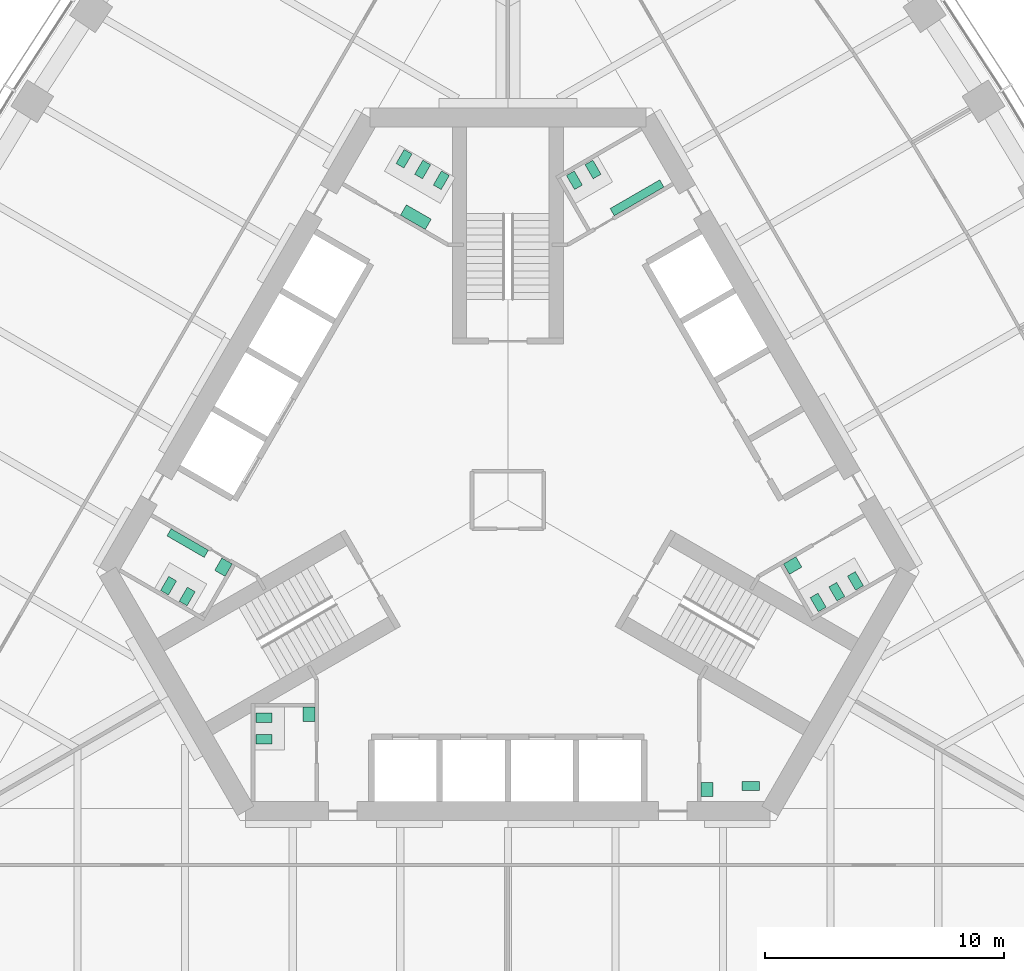
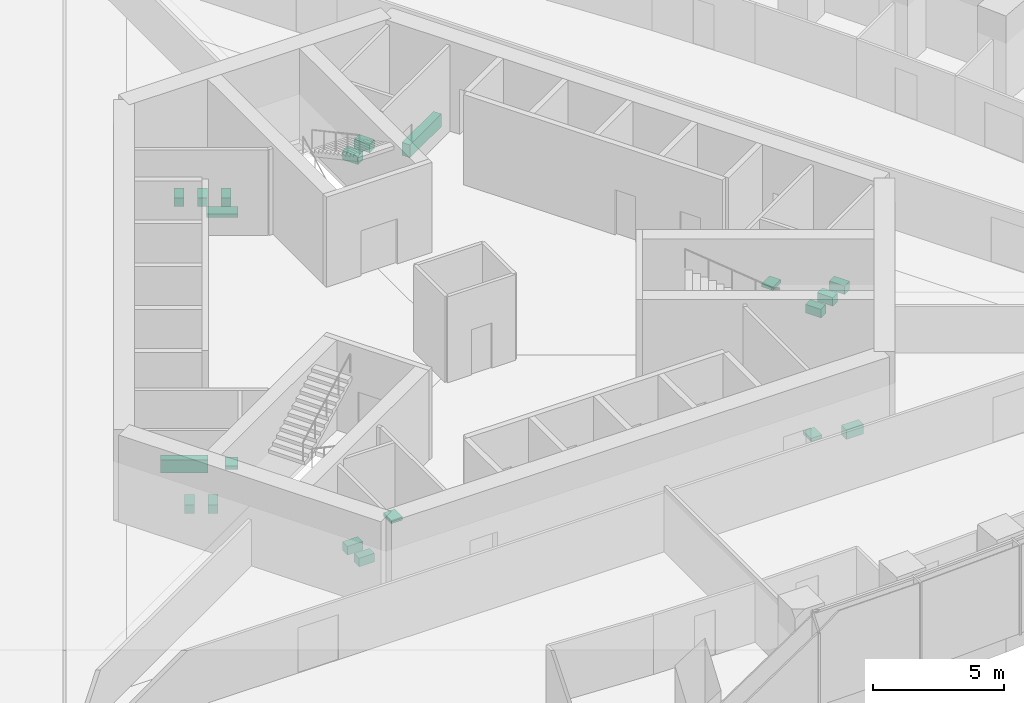
# One storey, part 18 of 19: 20 sanitary terminals.
"""IFC4 building model written with IfcOpenShell, lengths in metres."""

import ifcopenshell
import ifcopenshell.guid

model = None  # the IFC model being written
_history = None  # IfcOwnerHistory: only IFC2X3 demands one
_inside = {}  # id of a spatial element -> (the spatial element, [elements in it])
_under = {}  # id of a project, library or spatial element -> (it, [spatial elements below it])
_declared = {}  # id of a project -> (the project, [libraries it declares])
_typed = {}  # id of a type object -> (the type object, [elements of that type])
_made_of = {}  # id of a material, layer set ... -> (it, [elements and type objects made of it])


def new_model(schema):
    """Start an empty IFC model of exactly this schema.

    Asked for "IFC4X3", IfcOpenShell would pick the latest addendum, in which some entities
    have other attributes; the version numbers below select the first issue.
    IFC2X3 requires an IfcOwnerHistory on every rooted entity: one is made here for all.
    """
    global model, _history
    if schema == "IFC4X3":
        model = ifcopenshell.file(schema_version=(4, 3, 0, 0))
    else:
        model = ifcopenshell.file(schema=schema)
    _inside.clear()
    _under.clear()
    _declared.clear()
    _typed.clear()
    _made_of.clear()
    _history = None
    if model.schema == "IFC2X3":
        org = make("IfcOrganization", Name="unknown")
        user = make(
            "IfcPersonAndOrganization",
            ThePerson=make("IfcPerson", FamilyName="unknown"),
            TheOrganization=org,
        )
        app = make(
            "IfcApplication",
            ApplicationDeveloper=org,
            Version="unknown",
            ApplicationFullName="unknown",
            ApplicationIdentifier="unknown",
        )
        _history = make(
            "IfcOwnerHistory",
            OwningUser=user,
            OwningApplication=app,
            ChangeAction="ADDED",
            CreationDate=0,
        )
    return model


def make(cls, **values):
    """One entity of the class cls with the attributes given. An attribute that is None is left unset."""
    return model.create_entity(
        cls, **{name: value for name, value in values.items() if value is not None}
    )


def rooted(cls, **values):
    """An entity with a GlobalId (a new one), such as an element, a storey or a relation."""
    return make(cls, GlobalId=ifcopenshell.guid.new(), OwnerHistory=_history, **values)


def si_unit(unit_type, name, prefix=None):
    """IfcSIUnit, for example si_unit("LENGTHUNIT", "METRE", prefix="MILLI")."""
    return make("IfcSIUnit", UnitType=unit_type, Prefix=prefix, Name=name)


def assignment(units):
    """IfcUnitAssignment: the units of a project."""
    return None if units is None else make("IfcUnitAssignment", Units=units)


def point(xyz):
    """IfcCartesianPoint."""
    return None if xyz is None else make("IfcCartesianPoint", Coordinates=xyz)


def direction(xyz):
    """IfcDirection."""
    return None if xyz is None else make("IfcDirection", DirectionRatios=xyz)


def frame(location, z_axis=None, x_axis=None):
    """IfcAxis2Placement3D, a coordinate frame: its origin and axes. An axis left out is left unset."""
    return make(
        "IfcAxis2Placement3D",
        Location=point(location),
        Axis=direction(z_axis),
        RefDirection=direction(x_axis),
    )


def origin():
    """The frame at (0, 0, 0) with its axes left unset."""
    return frame((0.0, 0.0, 0.0))


def place(relative_to, where):
    """IfcLocalPlacement: puts the frame where relative to a parent placement (None: the world)."""
    return make(
        "IfcLocalPlacement", PlacementRelTo=relative_to, RelativePlacement=where
    )


def context(
    kind, dimensions, precision=None, world=None, true_north=None, identifier=None
):
    """IfcGeometricRepresentationContext, for example the 3D "Model" context."""
    return make(
        "IfcGeometricRepresentationContext",
        ContextIdentifier=identifier,
        ContextType=kind,
        CoordinateSpaceDimension=dimensions,
        Precision=precision,
        WorldCoordinateSystem=world,
        TrueNorth=true_north,
    )


def subcontext(parent, identifier, kind, view, scale=None):
    """IfcGeometricRepresentationSubContext, for example "Body" below "Model"."""
    return make(
        "IfcGeometricRepresentationSubContext",
        ContextIdentifier=identifier,
        ContextType=kind,
        ParentContext=parent,
        TargetScale=scale,
        TargetView=view,
    )


def project(units=None, contexts=None):
    """IfcProject with its units and contexts."""
    return rooted(
        "IfcProject",
        Name="project",
        RepresentationContexts=contexts,
        UnitsInContext=assignment(units),
    )


def spatial(cls, under=None, at=None, **own):
    """A site, building, storey or space (cls), placed at a placement, below another one or the project."""
    s = rooted(cls, ObjectPlacement=at, **own)
    if under is not None:
        _under.setdefault(under.id(), (under, []))[1].append(s)
    return s


def polyline(points):
    """IfcPolyline through the points."""
    return make("IfcPolyline", Points=[point(p) for p in points])


def outline(outer, holes=None, kind="AREA"):
    """IfcArbitraryClosedProfileDef: a profile drawn as a closed curve; with holes, ...WithVoids."""
    if holes is None:
        return make("IfcArbitraryClosedProfileDef", ProfileType=kind, OuterCurve=outer)
    return make(
        "IfcArbitraryProfileDefWithVoids",
        ProfileType=kind,
        OuterCurve=outer,
        InnerCurves=holes,
    )


def extrude(swept, where, along, depth):
    """IfcExtrudedAreaSolid: the profile swept, set in the frame where, extruded along a direction by depth."""
    return make(
        "IfcExtrudedAreaSolid",
        SweptArea=swept,
        Position=where,
        ExtrudedDirection=direction(along),
        Depth=depth,
    )


def shape(context_of_items, identifier, shape_type, items):
    """IfcShapeRepresentation: the items that make up one representation, for example the "Body"."""
    return make(
        "IfcShapeRepresentation",
        ContextOfItems=context_of_items,
        RepresentationIdentifier=identifier,
        RepresentationType=shape_type,
        Items=items,
    )


def material(Name=None, Category=None):
    """IfcMaterial."""
    return make("IfcMaterial", Name=Name, Category=Category)


def made_of(thing, what):
    """Note that an element or type object is made of a material, layer set ...; save() writes the relation."""
    if what is not None:
        _made_of.setdefault(what.id(), (what, []))[1].append(thing)
    return thing


def type_object(cls, material=None, **own):
    """A type object (cls), such as IfcWallType, which elements share."""
    return made_of(rooted(cls, **own), material)


def element(
    cls,
    number,
    at=None,
    inside=None,
    cuts=None,
    type_object=None,
    material=None,
    context=None,
    identifier="Body",
    shape_type=None,
    held_by="IfcProductDefinitionShape",
    body=None,
    shapes=None,
    **own,
):
    """One element of the class cls, such as IfcWall. Its Tag is "e" and its number.

    at: its placement. inside: the storey or other place that contains it. cuts: it is an
    opening in that element (IfcRelVoidsElement). A single representation is given by context,
    identifier, shape_type and body (its items); several are given by shapes. held_by: the class
    of the entity that holds the representations. save() writes the other relations.
    """
    e = rooted(cls, Tag="e%d" % number, ObjectPlacement=at, **own)
    if body is not None:
        shapes = [shape(context, identifier, shape_type, body)]
    if shapes is not None:
        e.Representation = make(held_by, Representations=shapes)
    if inside is not None:
        _inside.setdefault(inside.id(), (inside, []))[1].append(e)
    if cuts is not None:
        rooted(
            "IfcRelVoidsElement", RelatingBuildingElement=cuts, RelatedOpeningElement=e
        )
    if type_object is not None:
        _typed.setdefault(type_object.id(), (type_object, []))[1].append(e)
    return made_of(e, material)


def aggregate(whole, parts):
    """IfcRelAggregates: a whole, such as a stair, and the parts it consists of."""
    return rooted("IfcRelAggregates", RelatingObject=whole, RelatedObjects=parts)


def save(model, path):
    """Write the relations noted so far, then the file.

    IfcRelAggregates (storeys below a building ...), IfcRelContainedInSpatialStructure (elements
    in a storey), IfcRelDefinesByType, IfcRelAssociatesMaterial and IfcRelDeclares: one each for
    every whole, place, type object, material and project.
    """
    for whole, parts in _under.values():
        aggregate(whole, parts)
    for where, things in _inside.values():
        rooted(
            "IfcRelContainedInSpatialStructure",
            RelatedElements=things,
            RelatingStructure=where,
        )
    for kind, things in _typed.values():
        rooted("IfcRelDefinesByType", RelatedObjects=things, RelatingType=kind)
    for what, things in _made_of.values():
        rooted("IfcRelAssociatesMaterial", RelatedObjects=things, RelatingMaterial=what)
    for by, libraries in _declared.values():
        rooted("IfcRelDeclares", RelatingContext=by, RelatedDefinitions=libraries)
    model.write(path)


model = new_model("IFC4")

# Units and contexts
model_context = context("Model", 3, precision=1e-05, world=origin(), true_north=direction((0.0, 1.0)))
body_context = subcontext(model_context, "Body", "Model", "MODEL_VIEW")
ifc_project = project(units=[si_unit("LENGTHUNIT", "METRE"), si_unit("AREAUNIT", "SQUARE_METRE"), si_unit("VOLUMEUNIT", "CUBIC_METRE"), si_unit("PLANEANGLEUNIT", "RADIAN"), si_unit("MASSUNIT", "GRAM", prefix="KILO")], contexts=[model_context])

# Site, building, storey
site_placement = place(None, origin())
site = spatial("IfcSite", under=ifc_project, at=site_placement, CompositionType="ELEMENT")
building_placement = place(site_placement, origin())
building = spatial("IfcBuilding", under=site, at=building_placement, Name="Trefoil Bronze Tower", CompositionType="ELEMENT")
storey_placement = place(building_placement, frame((0.0, 0.0, 119.89990234375)))
storey = spatial("IfcBuildingStorey", under=building, at=storey_placement, Name="L27", CompositionType="ELEMENT", Elevation=119.89990234375)

# Sanitary terminals
ifc_material_1 = material(Name="Vitreous china", Category="ceramic")
sanitary_terminal_type_1 = type_object("IfcSanitaryTerminalType", Name="Accessible WC pan", PredefinedType="TOILETPAN", material=ifc_material_1)
sanitary_terminal_1_placement = place(storey_placement, origin())
element("IfcSanitaryTerminal", 1, at=sanitary_terminal_1_placement, inside=storey, type_object=sanitary_terminal_type_1, Name="WC pan 1 Accessible WC L27", PredefinedType="TOILETPAN", context=body_context, shape_type="SweptSolid", body=[
    extrude(outline(polyline([(9.784912109375, -11.77001953125), (10.534912109375, -11.77001953125), (10.534912109375, -12.14990234375), (9.784912109375, -12.14990234375), (9.784912109375, -11.77001953125)])), origin(), (0.0, 0.0, 1.0), 0.4501953125),
])
ifc_material_2 = material(Name="Vitreous china", Category="ceramic")
sanitary_terminal_type_2 = type_object("IfcSanitaryTerminalType", Name="Accessible basin", PredefinedType="WASHHANDBASIN", material=ifc_material_2)
sanitary_terminal_2_placement = place(storey_placement, frame((0.0, 0.0, 0.650146484375)))
element("IfcSanitaryTerminal", 2, at=sanitary_terminal_2_placement, inside=storey, type_object=sanitary_terminal_type_2, Name="Wash basin Accessible WC L27", PredefinedType="WASHHANDBASIN", context=body_context, shape_type="SweptSolid", body=[
    extrude(outline(polyline([(8.074951171875, -11.800048828125), (8.574951171875, -11.800048828125), (8.574951171875, -12.39990234375), (8.074951171875, -12.39990234375), (8.074951171875, -11.800048828125)])), origin(), (0.0, 0.0, 1.0), 0.14990234375),
])
ifc_material_3 = material(Name="Vitreous china", Category="ceramic")
sanitary_terminal_type_3 = type_object("IfcSanitaryTerminalType", Name="Urinal range 3 urinals", PredefinedType="URINAL", material=ifc_material_3)
sanitary_terminal_3_placement = place(storey_placement, frame((0.0, 0.0, 0.400146484375)))
element("IfcSanitaryTerminal", 3, at=sanitary_terminal_3_placement, inside=storey, type_object=sanitary_terminal_type_3, Name="Urinal range WC (men) L27", PredefinedType="URINAL", context=body_context, shape_type="SweptSolid", body=[
    extrude(outline(polyline([(-12.524658203125, -2.09326171875), (-12.699462890625, -2.396240234375), (-14.25830078125, -1.496337890625), (-14.08349609375, -1.193115234375), (-12.524658203125, -2.09326171875)])), origin(), (0.0, 0.0, 1.0), 0.599853515625),
])
ifc_material_4 = material(Name="Vitreous china", Category="ceramic")
sanitary_terminal_type_4 = type_object("IfcSanitaryTerminalType", Name="Urinal range 4 urinals", PredefinedType="URINAL", material=ifc_material_4)
sanitary_terminal_4_placement = place(storey_placement, frame((0.0, 0.0, 0.400146484375)))
element("IfcSanitaryTerminal", 4, at=sanitary_terminal_4_placement, inside=storey, type_object=sanitary_terminal_type_4, Name="Urinal range WC (men) L27", PredefinedType="URINAL", context=body_context, shape_type="SweptSolid", body=[
    extrude(outline(polyline([(4.449462890625, 11.89306640625), (4.274658203125, 12.1962890625), (6.35302734375, 13.396240234375), (6.528076171875, 13.09326171875), (4.449462890625, 11.89306640625)])), origin(), (0.0, 0.0, 1.0), 0.599853515625),
])
ifc_material_5 = material(Name="Solid surface vanity", Category="plastic")
sanitary_terminal_type_5 = type_object("IfcSanitaryTerminalType", Name="Vanity unit 1 basins", PredefinedType="WASHHANDBASIN", material=ifc_material_5)
sanitary_terminal_5_placement = place(storey_placement, frame((0.0, 0.0, 0.75)))
element("IfcSanitaryTerminal", 5, at=sanitary_terminal_5_placement, inside=storey, type_object=sanitary_terminal_type_5, Name="Vanity unit WC (women) L27", PredefinedType="WASHHANDBASIN", context=body_context, shape_type="SweptSolid", body=[
    extrude(outline(polyline([(11.528564453125, -2.668212890625), (11.778564453125, -3.10107421875), (12.29833984375, -2.80126953125), (12.04833984375, -2.3681640625), (11.528564453125, -2.668212890625)])), origin(), (0.0, 0.0, 1.0), 0.150146484375),
])
sanitary_terminal_6_placement = place(storey_placement, frame((0.0, 0.0, 0.75)))
element("IfcSanitaryTerminal", 6, at=sanitary_terminal_6_placement, inside=storey, type_object=sanitary_terminal_type_5, Name="Vanity unit WC (men) L27", PredefinedType="WASHHANDBASIN", context=body_context, shape_type="SweptSolid", body=[
    extrude(outline(polyline([(-11.528564453125, -2.668212890625), (-11.82861328125, -3.187744140625), (-12.26171875, -2.937744140625), (-11.961669921875, -2.418212890625), (-11.528564453125, -2.668212890625)])), origin(), (0.0, 0.0, 1.0), 0.150146484375),
])
sanitary_terminal_7_placement = place(storey_placement, frame((0.0, 0.0, 0.75)))
element("IfcSanitaryTerminal", 7, at=sanitary_terminal_7_placement, inside=storey, type_object=sanitary_terminal_type_5, Name="Vanity unit WC (women) L27", PredefinedType="WASHHANDBASIN", context=body_context, shape_type="SweptSolid", body=[
    extrude(outline(polyline([(-8.074951171875, -8.64990234375), (-8.574951171875, -8.64990234375), (-8.574951171875, -9.25), (-8.074951171875, -9.25), (-8.074951171875, -8.64990234375)])), origin(), (0.0, 0.0, 1.0), 0.150146484375),
])
ifc_material_6 = material(Name="Solid surface vanity", Category="plastic")
sanitary_terminal_type_6 = type_object("IfcSanitaryTerminalType", Name="Vanity unit 2 basins", PredefinedType="WASHHANDBASIN", material=ifc_material_6)
sanitary_terminal_8_placement = place(storey_placement, frame((0.0, 0.0, 0.75)))
element("IfcSanitaryTerminal", 8, at=sanitary_terminal_8_placement, inside=storey, type_object=sanitary_terminal_type_6, Name="Vanity unit WC (women) L27", PredefinedType="WASHHANDBASIN", context=body_context, shape_type="SweptSolid", body=[
    extrude(outline(polyline([(-3.45361328125, 11.318115234375), (-3.20361328125, 11.751220703125), (-4.242919921875, 12.35107421875), (-4.492919921875, 11.918212890625), (-3.45361328125, 11.318115234375)])), origin(), (0.0, 0.0, 1.0), 0.150146484375),
])
ifc_material_7 = material(Name="Vitreous china", Category="ceramic")
sanitary_terminal_type_7 = type_object("IfcSanitaryTerminalType", Name="WC pan", PredefinedType="TOILETPAN", material=ifc_material_7)
sanitary_terminal_9_placement = place(storey_placement, origin())
element("IfcSanitaryTerminal", 9, at=sanitary_terminal_9_placement, inside=storey, type_object=sanitary_terminal_type_7, Name="WC pan 1 WC (women) L27", PredefinedType="TOILETPAN", context=body_context, shape_type="SweptSolid", body=[
    extrude(outline(polyline([(12.643798828125, -4.07958984375), (12.98388671875, -4.66845703125), (13.31298828125, -4.478515625), (12.972900390625, -3.8896484375), (12.643798828125, -4.07958984375)])), origin(), (0.0, 0.0, 1.0), 0.400146484375),
])
sanitary_terminal_10_placement = place(storey_placement, origin())
element("IfcSanitaryTerminal", 10, at=sanitary_terminal_10_placement, inside=storey, type_object=sanitary_terminal_type_7, Name="WC pan 2 WC (women) L27", PredefinedType="TOILETPAN", context=body_context, shape_type="SweptSolid", body=[
    extrude(outline(polyline([(13.423095703125, -3.629638671875), (13.76318359375, -4.218505859375), (14.09228515625, -4.028564453125), (13.752197265625, -3.439697265625), (13.423095703125, -3.629638671875)])), origin(), (0.0, 0.0, 1.0), 0.400146484375),
])
sanitary_terminal_11_placement = place(storey_placement, origin())
element("IfcSanitaryTerminal", 11, at=sanitary_terminal_11_placement, inside=storey, type_object=sanitary_terminal_type_7, Name="WC pan 3 WC (women) L27", PredefinedType="TOILETPAN", context=body_context, shape_type="SweptSolid", body=[
    extrude(outline(polyline([(14.20263671875, -3.1796875), (14.542724609375, -3.7685546875), (14.871826171875, -3.57861328125), (14.53173828125, -2.98974609375), (14.20263671875, -3.1796875)])), origin(), (0.0, 0.0, 1.0), 0.400146484375),
])
sanitary_terminal_12_placement = place(storey_placement, origin())
element("IfcSanitaryTerminal", 12, at=sanitary_terminal_12_placement, inside=storey, type_object=sanitary_terminal_type_7, Name="WC pan 1 WC (men) L27", PredefinedType="TOILETPAN", context=body_context, shape_type="SweptSolid", body=[
    extrude(outline(polyline([(2.788818359375, 12.98974609375), (2.44873046875, 13.57861328125), (2.77783203125, 13.7685546875), (3.117919921875, 13.1796875), (2.788818359375, 12.98974609375)])), origin(), (0.0, 0.0, 1.0), 0.400146484375),
])
sanitary_terminal_13_placement = place(storey_placement, origin())
element("IfcSanitaryTerminal", 13, at=sanitary_terminal_13_placement, inside=storey, type_object=sanitary_terminal_type_7, Name="WC pan 2 WC (men) L27", PredefinedType="TOILETPAN", context=body_context, shape_type="SweptSolid", body=[
    extrude(outline(polyline([(3.568115234375, 13.439697265625), (3.228271484375, 14.028564453125), (3.557373046875, 14.218505859375), (3.897216796875, 13.629638671875), (3.568115234375, 13.439697265625)])), origin(), (0.0, 0.0, 1.0), 0.400146484375),
])
sanitary_terminal_14_placement = place(storey_placement, origin())
element("IfcSanitaryTerminal", 14, at=sanitary_terminal_14_placement, inside=storey, type_object=sanitary_terminal_type_7, Name="WC pan 1 WC (women) L27", PredefinedType="TOILETPAN", context=body_context, shape_type="SweptSolid", body=[
    extrude(outline(polyline([(-2.788818359375, 12.98974609375), (-2.44873046875, 13.57861328125), (-2.77783203125, 13.7685546875), (-3.117919921875, 13.1796875), (-2.788818359375, 12.98974609375)])), origin(), (0.0, 0.0, 1.0), 0.400146484375),
])
sanitary_terminal_15_placement = place(storey_placement, origin())
element("IfcSanitaryTerminal", 15, at=sanitary_terminal_15_placement, inside=storey, type_object=sanitary_terminal_type_7, Name="WC pan 2 WC (women) L27", PredefinedType="TOILETPAN", context=body_context, shape_type="SweptSolid", body=[
    extrude(outline(polyline([(-3.568115234375, 13.439697265625), (-3.228271484375, 14.028564453125), (-3.557373046875, 14.218505859375), (-3.897216796875, 13.629638671875), (-3.568115234375, 13.439697265625)])), origin(), (0.0, 0.0, 1.0), 0.400146484375),
])
sanitary_terminal_16_placement = place(storey_placement, origin())
element("IfcSanitaryTerminal", 16, at=sanitary_terminal_16_placement, inside=storey, type_object=sanitary_terminal_type_7, Name="WC pan 3 WC (women) L27", PredefinedType="TOILETPAN", context=body_context, shape_type="SweptSolid", body=[
    extrude(outline(polyline([(-4.34765625, 13.8896484375), (-4.007568359375, 14.478515625), (-4.336669921875, 14.66845703125), (-4.6767578125, 14.07958984375), (-4.34765625, 13.8896484375)])), origin(), (0.0, 0.0, 1.0), 0.400146484375),
])
sanitary_terminal_17_placement = place(storey_placement, origin())
element("IfcSanitaryTerminal", 17, at=sanitary_terminal_17_placement, inside=storey, type_object=sanitary_terminal_type_7, Name="WC pan 1 WC (men) L27", PredefinedType="TOILETPAN", context=body_context, shape_type="SweptSolid", body=[
    extrude(outline(polyline([(-13.076904296875, -3.82958984375), (-13.416748046875, -4.41845703125), (-13.745849609375, -4.228515625), (-13.406005859375, -3.6396484375), (-13.076904296875, -3.82958984375)])), origin(), (0.0, 0.0, 1.0), 0.400146484375),
])
sanitary_terminal_18_placement = place(storey_placement, origin())
element("IfcSanitaryTerminal", 18, at=sanitary_terminal_18_placement, inside=storey, type_object=sanitary_terminal_type_7, Name="WC pan 2 WC (men) L27", PredefinedType="TOILETPAN", context=body_context, shape_type="SweptSolid", body=[
    extrude(outline(polyline([(-13.856201171875, -3.379638671875), (-14.1962890625, -3.968505859375), (-14.525390625, -3.778564453125), (-14.185302734375, -3.189697265625), (-13.856201171875, -3.379638671875)])), origin(), (0.0, 0.0, 1.0), 0.400146484375),
])
sanitary_terminal_19_placement = place(storey_placement, origin())
element("IfcSanitaryTerminal", 19, at=sanitary_terminal_19_placement, inside=storey, type_object=sanitary_terminal_type_7, Name="WC pan 1 WC (women) L27", PredefinedType="TOILETPAN", context=body_context, shape_type="SweptSolid", body=[
    extrude(outline(polyline([(-9.85498046875, -8.909912109375), (-10.534912109375, -8.909912109375), (-10.534912109375, -9.2900390625), (-9.85498046875, -9.2900390625), (-9.85498046875, -8.909912109375)])), origin(), (0.0, 0.0, 1.0), 0.400146484375),
])
sanitary_terminal_20_placement = place(storey_placement, origin())
element("IfcSanitaryTerminal", 20, at=sanitary_terminal_20_placement, inside=storey, type_object=sanitary_terminal_type_7, Name="WC pan 2 WC (women) L27", PredefinedType="TOILETPAN", context=body_context, shape_type="SweptSolid", body=[
    extrude(outline(polyline([(-9.85498046875, -9.81005859375), (-10.534912109375, -9.81005859375), (-10.534912109375, -10.18994140625), (-9.85498046875, -10.18994140625), (-9.85498046875, -9.81005859375)])), origin(), (0.0, 0.0, 1.0), 0.400146484375),
])

save(model, "model.ifc")
